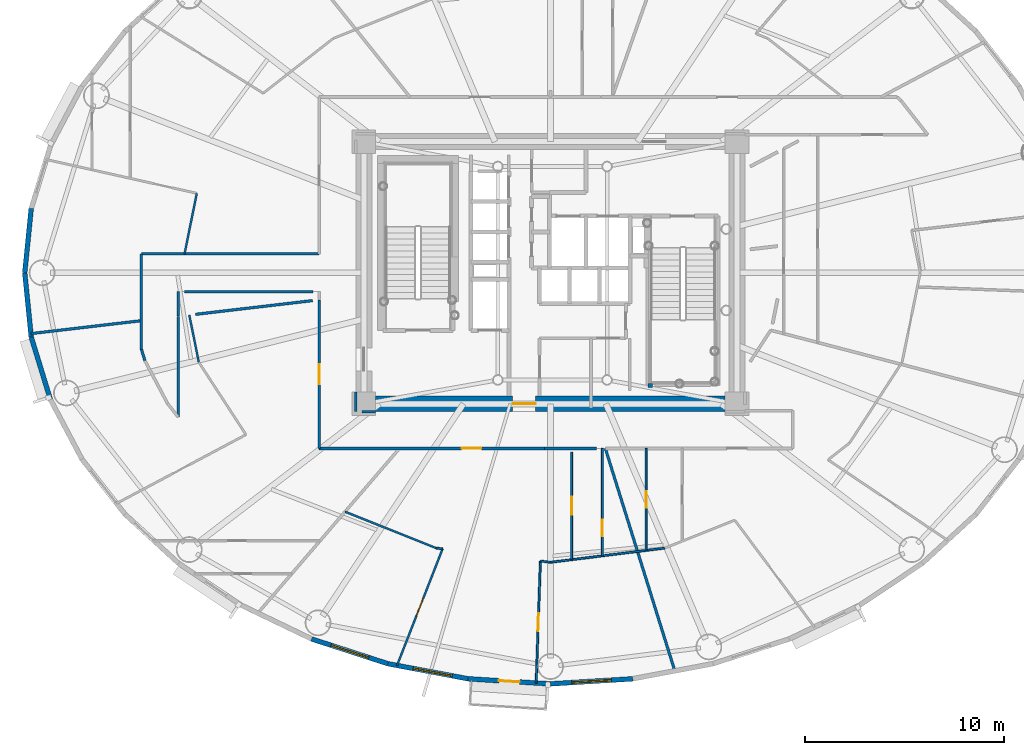
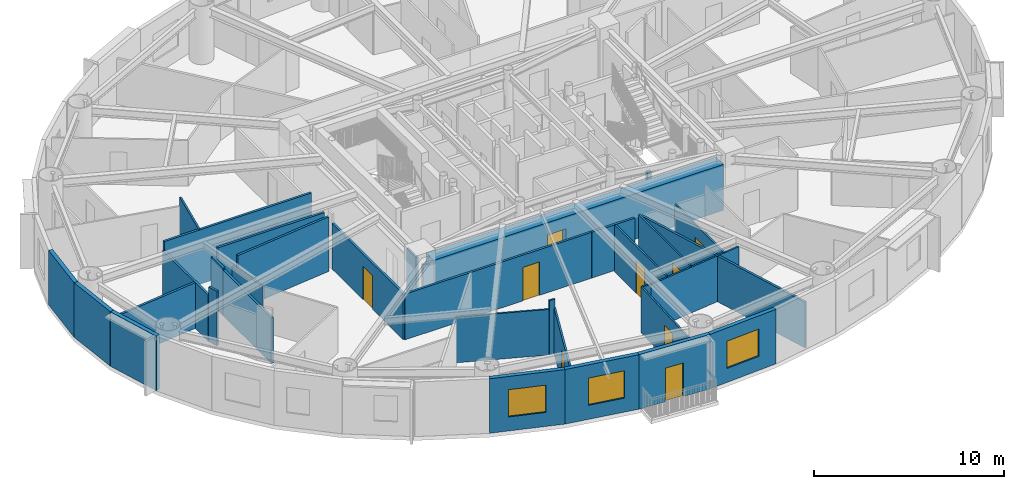
# One storey, part 6 of 18: 34 walls, 9 doors, 3 windows, 12 openings.
"""IFC4 building model written with IfcOpenShell, lengths in metres."""

from ifc_helpers import new_model, si_unit, direction, frame, frame_2d, origin, origin_2d, place, context, subcontext, project, spatial, rectangle, extrude, source, transform, mapped, material, layer, layer_set, type_object, element, fill, save


model = new_model("IFC4")

# Units and contexts
model_context = context("Model", 3, precision=1e-05, world=origin(), true_north=direction((0.0, 1.0)))
body_context = subcontext(model_context, "Body", "Model", "MODEL_VIEW")
ifc_project = project(units=[si_unit("LENGTHUNIT", "METRE"), si_unit("AREAUNIT", "SQUARE_METRE"), si_unit("VOLUMEUNIT", "CUBIC_METRE"), si_unit("PLANEANGLEUNIT", "RADIAN"), si_unit("MASSUNIT", "GRAM", prefix="KILO")], contexts=[model_context])

# Site, building, storey
site_placement = place(None, origin())
site = spatial("IfcSite", under=ifc_project, at=site_placement, CompositionType="ELEMENT")
building_placement = place(site_placement, origin())
building = spatial("IfcBuilding", under=site, at=building_placement, Name="Linh Dai School and Residence Tower", CompositionType="ELEMENT")
storey_placement = place(building_placement, frame((0.0, 0.0, 178.64990234375)))
storey = spatial("IfcBuildingStorey", under=building, at=storey_placement, Name="L43", CompositionType="ELEMENT", Elevation=178.64990234375)

# Walls
ifc_material_1 = material(Name="Precast Concrete B45 (C35/45)", Category="concrete")
ifc_layer_1 = layer(ifc_material_1, 0.239990234375)
ifc_layer_set_1 = layer_set([ifc_layer_1], Name="Precast Concrete B45 (C35/45)")
wall_type_1 = type_object("IfcWallType", Name="EW-TC-240", PredefinedType="SOLIDWALL", material=ifc_layer_set_1)
for number, where, z_axis, x_axis, name in (
    (1, (9.52490234375, 27.0, 0.0), (0.0, 0.0, 1.0), (0.100061534614, 0.994981250723, 0.0), "L43 Terracotta Exterior Wall 20"),
    (2, (9.85009765625, 23.766357421875, 0.0), (0.0, 0.0, 1.0), (-0.100061534614, 0.994981250723, 0.0), "L43 Terracotta Exterior Wall 21"),
):
    element("IfcWall", number, at=place(storey_placement, frame(where, z_axis=z_axis, x_axis=x_axis)), inside=storey, type_object=wall_type_1, Name=name, PredefinedType="SOLIDWALL", context=body_context, shape_type="SweptSolid", body=[
        extrude(rectangle(XDim=3.25, YDim=0.239990234375, at=frame_2d((1.625, 0.0))), origin(), (0.0, 0.0, 1.0), 3.5),
    ])
wall_1_placement = place(storey_placement, frame((10.8173828125, 20.611083984375, 0.0), z_axis=(0.0, 0.0, 1.0), x_axis=(-0.293097995113, 0.956082405058, 0.0)))
element("IfcWall", 3, at=wall_1_placement, inside=storey, type_object=wall_type_1, Name="L43 Terracotta Exterior Wall 22", PredefinedType="SOLIDWALL", context=body_context, shape_type="SweptSolid", body=[
    extrude(rectangle(XDim=3.30029296875, YDim=0.239990234375, at=frame_2d((1.650146484375, 0.0))), origin(), (0.0, 0.0, 1.0), 3.5),
])

# Wall, opening, window
wall_2_placement = place(storey_placement, frame((27.81103515625, 7.310546875, 0.0), z_axis=(0.0, 0.0, 1.0), x_axis=(-0.951209870236, 0.30854462038, 0.0)))
wall_2 = element("IfcWall", 4, at=wall_2_placement, inside=storey, type_object=wall_type_1, Name="L43 Terracotta Exterior Wall 28", PredefinedType="SOLIDWALL", context=body_context, shape_type="SweptSolid", body=[
    extrude(rectangle(XDim=4.037841796875, YDim=0.239990234375, at=frame_2d((2.01904296875, 0.0))), origin(), (0.0, 0.0, 1.0), 3.5),
])
opening_1_placement = place(wall_2_placement, frame((1.018798828125, 0.0, 0.89990234375)))
opening_1 = element("IfcOpeningElement", 5, at=opening_1_placement, cuts=wall_2, Name="Opening W1", PredefinedType="OPENING", context=body_context, shape_type="SweptSolid", body=[
    extrude(rectangle(XDim=2.0, YDim=1.75, at=origin_2d()), frame((1.0, 0.1298828125, 0.875), z_axis=(0.0, -1.0, 0.0), x_axis=(1.0, 0.0, 0.0)), (0.0, 0.0, 1.0), 0.260009765625),
])
ifc_material_2 = material(Name="Double Low-E Insulated Glazing", Category="glass")
window_type = type_object("IfcWindowType", Name="WN-RES-2000x1750", PartitioningType="DOUBLE_PANEL_VERTICAL", PredefinedType="WINDOW", material=ifc_material_2)
shared_shape_1 = source(origin(), body_context, "Body", "SweptSolid", [
    extrude(rectangle(XDim=2.0, YDim=1.75, at=origin_2d()), frame((1.0, 0.030029296875, 0.875), z_axis=(0.0, -1.0, 0.0), x_axis=(1.0, 0.0, 0.0)), (0.0, 0.0, 1.0), 0.06005859375),
])
window_1_placement = place(opening_1_placement, origin())
window_1 = element("IfcWindow", 6, at=window_1_placement, inside=storey, type_object=window_type, Name="L43 Exterior Window 28.1", OverallHeight=1.75, OverallWidth=2.0, PartitioningType="DOUBLE_PANEL_VERTICAL", PredefinedType="WINDOW", context=body_context, shape_type="MappedRepresentation", body=[
    mapped(shared_shape_1, transform((0.0, 0.0, 0.0), x_axis=(1.0, 0.0, 0.0), y_axis=(0.0, 1.0, 0.0), z_axis=(0.0, 0.0, 1.0), scale=1.0)),
])
fill(opening_1, window_1)

wall_3_placement = place(storey_placement, frame((31.854248046875, 6.550537109375, 0.0), z_axis=(0.0, 0.0, 1.0), x_axis=(-0.982788108205, 0.184736391573, 0.0)))
wall_3 = element("IfcWall", 7, at=wall_3_placement, inside=storey, type_object=wall_type_1, Name="L43 Terracotta Exterior Wall 29", PredefinedType="SOLIDWALL", context=body_context, shape_type="SweptSolid", body=[
    extrude(rectangle(XDim=4.114013671875, YDim=0.239990234375, at=frame_2d((2.05712890625, 0.0))), origin(), (0.0, 0.0, 1.0), 3.5),
])
opening_2_placement = place(wall_3_placement, frame((0.814208984375, 0.0, 0.89990234375)))
opening_2 = element("IfcOpeningElement", 8, at=opening_2_placement, cuts=wall_3, Name="Opening W1", PredefinedType="OPENING", context=body_context, shape_type="SweptSolid", body=[
    extrude(rectangle(XDim=2.0, YDim=1.75, at=origin_2d()), frame((1.0, 0.1298828125, 0.875), z_axis=(0.0, -1.0, 0.0), x_axis=(1.0, 0.0, 0.0)), (0.0, 0.0, 1.0), 0.260009765625),
])
window_2_placement = place(opening_2_placement, origin())
window_2 = element("IfcWindow", 9, at=window_2_placement, inside=storey, type_object=window_type, Name="L43 Exterior Window 29.1", OverallHeight=1.75, OverallWidth=2.0, PartitioningType="DOUBLE_PANEL_VERTICAL", PredefinedType="WINDOW", context=body_context, shape_type="MappedRepresentation", body=[
    mapped(shared_shape_1, transform((0.0, 0.0, 0.0), x_axis=(1.0, 0.0, 0.0), y_axis=(0.0, 1.0, 0.0), z_axis=(0.0, 0.0, 1.0), scale=1.0)),
])
fill(opening_2, window_2)

# Wall, opening, door
wall_4_placement = place(storey_placement, frame((36.0, 6.294921875, 0.0), z_axis=(0.0, 0.0, 1.0), x_axis=(-0.998104600619, 0.061540281305, 0.0)))
wall_4 = element("IfcWall", 10, at=wall_4_placement, inside=storey, type_object=wall_type_1, Name="L43 Terracotta Exterior Wall 30", PredefinedType="SOLIDWALL", context=body_context, shape_type="SweptSolid", body=[
    extrude(rectangle(XDim=4.153564453125, YDim=0.239990234375, at=frame_2d((2.07666015625, 0.0))), origin(), (0.0, 0.0, 1.0), 3.5),
])
opening_3_placement = place(wall_4_placement, frame((1.5517578125, 0.0, 0.0)))
opening_3 = element("IfcOpeningElement", 11, at=opening_3_placement, cuts=wall_4, Name="Opening BD1", PredefinedType="OPENING", context=body_context, shape_type="SweptSolid", body=[
    extrude(rectangle(XDim=1.050048828125, YDim=2.14990234375, at=origin_2d()), frame((0.52490234375, 0.1298828125, 1.074951171875), z_axis=(0.0, -1.0, 0.0), x_axis=(1.0, 0.0, 0.0)), (0.0, 0.0, 1.0), 0.260009765625),
])
ifc_material_3 = material(Name="Double-Glazed Balcony Door", Category="glass")
door_type_1 = type_object("IfcDoorType", Name="DR-BALC-1050x2150", OperationType="NOTDEFINED", PredefinedType="DOOR", material=ifc_material_3)
shared_shape_2 = source(origin(), body_context, "Body", "SweptSolid", [
    extrude(rectangle(XDim=1.050048828125, YDim=2.14990234375, at=origin_2d()), frame((0.52490234375, 0.02490234375, 1.074951171875), z_axis=(0.0, -1.0, 0.0), x_axis=(1.0, 0.0, 0.0)), (0.0, 0.0, 1.0), 0.050048828125),
])
door_1_placement = place(opening_3_placement, origin())
door_1 = element("IfcDoor", 12, at=door_1_placement, inside=storey, type_object=door_type_1, Name="L43 Glazed Balcony Door 30", OperationType="SINGLE_SWING_RIGHT", OverallHeight=2.14990234375, OverallWidth=1.050048828125, PredefinedType="DOOR", context=body_context, shape_type="MappedRepresentation", body=[
    mapped(shared_shape_2, transform((0.0, 0.0, 0.0), x_axis=(1.0, 0.0, 0.0), y_axis=(0.0, 1.0, 0.0), z_axis=(0.0, 0.0, 1.0), scale=1.0)),
])
fill(opening_3, door_1)

# Wall, opening, window
wall_5_placement = place(storey_placement, frame((40.145751953125, 6.550537109375, 0.0), z_axis=(0.0, 0.0, 1.0), x_axis=(-0.998104600619, -0.061540281305, 0.0)))
wall_5 = element("IfcWall", 13, at=wall_5_placement, inside=storey, type_object=wall_type_1, Name="L43 Terracotta Exterior Wall 31", PredefinedType="SOLIDWALL", context=body_context, shape_type="SweptSolid", body=[
    extrude(rectangle(XDim=4.153564453125, YDim=0.239990234375, at=frame_2d((2.07666015625, 0.0))), origin(), (0.0, 0.0, 1.0), 3.5),
])
opening_4_placement = place(wall_5_placement, frame((1.076904296875, 0.0, 0.89990234375)))
opening_4 = element("IfcOpeningElement", 14, at=opening_4_placement, cuts=wall_5, Name="Opening W1", PredefinedType="OPENING", context=body_context, shape_type="SweptSolid", body=[
    extrude(rectangle(XDim=2.0, YDim=1.75, at=origin_2d()), frame((1.0, 0.1298828125, 0.875), z_axis=(0.0, -1.0, 0.0), x_axis=(1.0, 0.0, 0.0)), (0.0, 0.0, 1.0), 0.260009765625),
])
window_3_placement = place(opening_4_placement, origin())
window_3 = element("IfcWindow", 15, at=window_3_placement, inside=storey, type_object=window_type, Name="L43 Exterior Window 31.1", OverallHeight=1.75, OverallWidth=2.0, PartitioningType="DOUBLE_PANEL_VERTICAL", PredefinedType="WINDOW", context=body_context, shape_type="MappedRepresentation", body=[
    mapped(shared_shape_1, transform((0.0, 0.0, 0.0), x_axis=(1.0, 0.0, 0.0), y_axis=(0.0, 1.0, 0.0), z_axis=(0.0, 0.0, 1.0), scale=1.0)),
])
fill(opening_4, window_3)

# Walls
ifc_material_4 = material(Name="Autoclaved Aerated Concrete Blockwork", Category="masonry")
ifc_layer_2 = layer(ifc_material_4, 0.135009765625)
ifc_layer_set_2 = layer_set([ifc_layer_2], Name="Autoclaved Aerated Concrete Blockwork")
wall_type_2 = type_object("IfcWallType", Name="IW-CORR-135-EI90", PredefinedType="PARTITIONING", material=ifc_layer_set_2)
wall_6_placement = place(storey_placement, frame((9.828369140625, 23.932861328125, 0.0), z_axis=(0.0, 0.0, 1.0), x_axis=(0.993205157511, 0.116376608877, 0.0)))
element("IfcWall", 16, at=wall_6_placement, inside=storey, type_object=wall_type_2, Name="L43 Interior Partition Wall 001", PredefinedType="PARTITIONING", context=body_context, shape_type="SweptSolid", body=[
    extrude(rectangle(XDim=5.609619140625, YDim=0.135009765625, at=frame_2d((2.8046875, 0.0))), origin(), (0.0, 0.0, 1.0), 2.93505859375),
])
wall_7_placement = place(storey_placement, frame((15.39990234375, 23.14599609375, 0.0), z_axis=(0.0, 0.0, 1.0), x_axis=(0.0, 1.0, 0.0)))
element("IfcWall", 17, at=wall_7_placement, inside=storey, type_object=wall_type_2, Name="L43 Interior Partition Wall 007", PredefinedType="PARTITIONING", context=body_context, shape_type="SweptSolid", body=[
    extrude(rectangle(XDim=4.803955078125, YDim=0.135009765625, at=frame_2d((2.40185546875, 0.0))), origin(), (0.0, 0.0, 1.0), 2.93505859375),
])
wall_8_placement = place(storey_placement, frame((15.39990234375, 23.14599609375, 0.0), z_axis=(0.0, 0.0, 1.0), x_axis=(0.293335154151, -0.956009669061, 0.0)))
element("IfcWall", 18, at=wall_8_placement, inside=storey, type_object=wall_type_2, Name="L43 Interior Partition Wall 008", PredefinedType="PARTITIONING", context=body_context, shape_type="SweptSolid", body=[
    extrude(rectangle(XDim=0.59423828125, YDim=0.135009765625, at=frame_2d((0.297119140625, 0.0))), origin(), (0.0, 0.0, 1.0), 3.5),
])
wall_9_placement = place(storey_placement, frame((15.39990234375, 27.949951171875, 0.0), z_axis=(0.0, 0.0, 1.0), x_axis=(1.0, 0.0, 0.0)))
element("IfcWall", 19, at=wall_9_placement, inside=storey, type_object=wall_type_2, Name="L43 Interior Partition Wall 009", PredefinedType="PARTITIONING", context=body_context, shape_type="SweptSolid", body=[
    extrude(rectangle(XDim=8.9501953125, YDim=0.135009765625, at=frame_2d((4.47509765625, 0.0))), origin(), (0.0, 0.0, 1.0), 3.5),
])
wall_10_placement = place(storey_placement, frame((17.25, 19.734375, 0.0), z_axis=(0.0, 0.0, 1.0), x_axis=(0.0, 1.0, 0.0)))
element("IfcWall", 20, at=wall_10_placement, inside=storey, type_object=wall_type_2, Name="L43 Interior Partition Wall 013", PredefinedType="PARTITIONING", context=body_context, shape_type="SweptSolid", body=[
    extrude(rectangle(XDim=5.068359375, YDim=0.135009765625, at=frame_2d((2.5341796875, 0.0))), origin(), (0.0, 0.0, 1.0), 2.93505859375),
])

# Wall, opening, door
wall_11_placement = place(storey_placement, frame((24.35009765625, 18.14990234375, 0.0), z_axis=(0.0, 0.0, 1.0), x_axis=(0.0, 1.0, 0.0)))
wall_11 = element("IfcWall", 21, at=wall_11_placement, inside=storey, type_object=wall_type_2, Name="L43 Interior Partition Wall 021", PredefinedType="PARTITIONING", context=body_context, shape_type="SweptSolid", body=[
    extrude(rectangle(XDim=7.48486328125, YDim=0.135009765625, at=frame_2d((3.742431640625, 0.0))), origin(), (0.0, 0.0, 1.0), 2.93505859375),
])
opening_5_placement = place(wall_11_placement, frame((3.2421875, 0.0, 0.0)))
opening_5 = element("IfcOpeningElement", 22, at=opening_5_placement, cuts=wall_11, Name="Opening D03", PredefinedType="OPENING", context=body_context, shape_type="SweptSolid", body=[
    extrude(rectangle(XDim=1.0, YDim=2.14990234375, at=origin_2d()), frame((0.5, 0.07763671875, 1.074951171875), z_axis=(0.0, -1.0, 0.0), x_axis=(1.0, 0.0, 0.0)), (0.0, 0.0, 1.0), 0.155029296875),
])
ifc_material_5 = material(Name="Fire-Rated Solid Timber Entrance Door", Category="wood")
door_type_2 = type_object("IfcDoorType", Name="DR-FLAT-1000x2150-FD60S", OperationType="NOTDEFINED", PredefinedType="DOOR", material=ifc_material_5)
shared_shape_3 = source(origin(), body_context, "Body", "SweptSolid", [
    extrude(rectangle(XDim=1.0, YDim=2.14990234375, at=origin_2d()), frame((0.5, 0.02490234375, 1.074951171875), z_axis=(0.0, -1.0, 0.0), x_axis=(1.0, 0.0, 0.0)), (0.0, 0.0, 1.0), 0.050048828125),
])
door_2_placement = place(opening_5_placement, origin())
door_2 = element("IfcDoor", 23, at=door_2_placement, inside=storey, type_object=door_type_2, Name="L43 U4304 Apartment Entrance Door", OperationType="SINGLE_SWING_RIGHT", OverallHeight=2.14990234375, OverallWidth=1.0, PredefinedType="DOOR", context=body_context, shape_type="MappedRepresentation", body=[
    mapped(shared_shape_3, transform((0.0, 0.0, 0.0), x_axis=(1.0, 0.0, 0.0), y_axis=(0.0, 1.0, 0.0), z_axis=(0.0, 0.0, 1.0), scale=1.0)),
])
fill(opening_5, door_2)

wall_12_placement = place(storey_placement, frame((24.35009765625, 18.14990234375, 0.0), z_axis=(0.0, 0.0, 1.0), x_axis=(1.0, 0.0, 0.0)))
wall_12 = element("IfcWall", 24, at=wall_12_placement, inside=storey, type_object=wall_type_2, Name="L43 Interior Partition Wall 022", PredefinedType="PARTITIONING", context=body_context, shape_type="SweptSolid", body=[
    extrude(rectangle(XDim=11.3408203125, YDim=0.135009765625, at=frame_2d((5.67041015625, 0.0))), origin(), (0.0, 0.0, 1.0), 2.93505859375),
])
opening_6_placement = place(wall_12_placement, frame((7.17138671875, 0.0, 0.0)))
opening_6 = element("IfcOpeningElement", 25, at=opening_6_placement, cuts=wall_12, Name="Opening D03", PredefinedType="OPENING", context=body_context, shape_type="SweptSolid", body=[
    extrude(rectangle(XDim=1.0, YDim=2.14990234375, at=origin_2d()), frame((0.5, 0.07763671875, 1.074951171875), z_axis=(0.0, -1.0, 0.0), x_axis=(1.0, 0.0, 0.0)), (0.0, 0.0, 1.0), 0.155029296875),
])
door_3_placement = place(opening_6_placement, origin())
door_3 = element("IfcDoor", 26, at=door_3_placement, inside=storey, type_object=door_type_2, Name="L43 U4305 Apartment Entrance Door", OperationType="SINGLE_SWING_RIGHT", OverallHeight=2.14990234375, OverallWidth=1.0, PredefinedType="DOOR", context=body_context, shape_type="MappedRepresentation", body=[
    mapped(shared_shape_3, transform((0.0, 0.0, 0.0), x_axis=(1.0, 0.0, 0.0), y_axis=(0.0, 1.0, 0.0), z_axis=(0.0, 0.0, 1.0), scale=1.0)),
])
fill(opening_6, door_3)

# Walls
wall_13_placement = place(storey_placement, frame((38.763671875, 18.14990234375, 0.0), z_axis=(0.0, 0.0, 1.0), x_axis=(0.298084348379, -0.954539533624, 0.0)))
element("IfcWall", 27, at=wall_13_placement, inside=storey, type_object=wall_type_2, Name="L43 Interior Partition Wall 067", PredefinedType="PARTITIONING", context=body_context, shape_type="SweptSolid", body=[
    extrude(rectangle(XDim=11.739990234375, YDim=0.135009765625, at=frame_2d((5.8701171875, 0.0))), origin(), (0.0, 0.0, 1.0), 2.93505859375),
])
wall_14_placement = place(storey_placement, frame((17.25, 26.050048828125, 0.0), z_axis=(0.0, 0.0, 1.0), x_axis=(0.0, -1.0, 0.0)))
element("IfcWall", 28, at=wall_14_placement, inside=storey, type_object=wall_type_2, Name="L43 Interior Partition Wall 107", PredefinedType="PARTITIONING", context=body_context, shape_type="SweptSolid", body=[
    extrude(rectangle(XDim=1.237548828125, YDim=0.135009765625, at=frame_2d((0.61865234375, 0.0))), origin(), (0.0, 0.0, 1.0), 3.03515625),
])
wall_15_placement = place(storey_placement, frame((26.199951171875, 20.989990234375, 0.0), z_axis=(0.0, 0.0, 1.0), x_axis=(0.0, -1.0, 0.0)))
element("IfcWall", 29, at=wall_15_placement, inside=storey, type_object=wall_type_2, Name="L43 Interior Partition Wall 113", PredefinedType="PARTITIONING", context=body_context, shape_type="SweptSolid", body=[
    extrude(rectangle(XDim=0.989990234375, YDim=0.135009765625, at=frame_2d((0.4951171875, 0.0))), origin(), (0.0, 0.0, 1.0), 3.5),
])
wall_16_placement = place(storey_placement, frame((26.507568359375, 20.0, 0.0), z_axis=(0.0, 0.0, 1.0), x_axis=(1.0, 0.0, 0.0)))
element("IfcWall", 30, at=wall_16_placement, inside=storey, type_object=wall_type_2, Name="L43 Interior Partition Wall 114", PredefinedType="PARTITIONING", context=body_context, shape_type="SweptSolid", body=[
    extrude(rectangle(XDim=0.682373046875, YDim=0.135009765625, at=frame_2d((0.34130859375, 0.0))), origin(), (0.0, 0.0, 1.0), 2.93505859375),
])
wall_17_placement = place(storey_placement, frame((38.305908203125, 18.14990234375, 0.0), z_axis=(0.0, 0.0, 1.0), x_axis=(-1.0, 0.0, 0.0)))
element("IfcWall", 31, at=wall_17_placement, inside=storey, type_object=wall_type_2, Name="L43 Interior Partition Wall 116", PredefinedType="PARTITIONING", context=body_context, shape_type="SweptSolid", body=[
    extrude(rectangle(XDim=2.60498046875, YDim=0.135009765625, at=frame_2d((1.302490234375, 0.0))), origin(), (0.0, 0.0, 1.0), 2.93505859375),
])
wall_18_placement = place(storey_placement, frame((24.04248046875, 26.050048828125, 0.0), z_axis=(0.0, 0.0, 1.0), x_axis=(-1.0, 0.0, 0.0)))
element("IfcWall", 32, at=wall_18_placement, inside=storey, type_object=wall_type_2, Name="L43 Interior Partition Wall 118", PredefinedType="PARTITIONING", context=body_context, shape_type="SweptSolid", body=[
    extrude(rectangle(XDim=6.48486328125, YDim=0.135009765625, at=frame_2d((3.242431640625, 0.0))), origin(), (0.0, 0.0, 1.0), 3.5),
])
wall_19_placement = place(storey_placement, frame((18.1201171875, 24.904541015625, 0.0), z_axis=(0.0, 0.0, 1.0), x_axis=(0.993204061109, 0.116385965632, 0.0)))
element("IfcWall", 33, at=wall_19_placement, inside=storey, type_object=wall_type_2, Name="L43 Interior Partition Wall 120", PredefinedType="PARTITIONING", context=body_context, shape_type="SweptSolid", body=[
    extrude(rectangle(XDim=5.942626953125, YDim=0.135009765625, at=frame_2d((2.97119140625, 0.0))), origin(), (0.0, 0.0, 1.0), 3.5),
])
ifc_material_6 = material(Name="Concrete B45 (C35/45)", Category="concrete")
ifc_layer_3 = layer(ifc_material_6, 0.199951171875)
ifc_layer_set_3 = layer_set([ifc_layer_3], Name="Concrete B45 (C35/45)")
wall_type_3 = type_object("IfcWallType", Name="IW-SHAFT-200-EI120", PredefinedType="PARTITIONING", material=ifc_layer_set_3)
wall_20_placement = place(storey_placement, frame((40.89990234375, 21.330078125, 0.0), z_axis=(0.0, 0.0, 1.0), x_axis=(1.0, 0.0, 0.0)))
element("IfcWall", 34, at=wall_20_placement, inside=storey, type_object=wall_type_3, Name="L43 Interior Partition Wall 076", PredefinedType="PARTITIONING", context=body_context, shape_type="SweptSolid", body=[
    extrude(rectangle(XDim=0.25, YDim=0.199951171875, at=frame_2d((0.125, 0.0))), origin(), (0.0, 0.0, 1.0), 3.03515625),
])
ifc_material_7 = material(Name="Gypsum Plasterboard Acoustic Stud Partition", Category="masonry")
ifc_layer_4 = layer(ifc_material_7, 0.10009765625)
ifc_layer_set_4 = layer_set([ifc_layer_4], Name="Gypsum Plasterboard Acoustic Stud Partition")
wall_type_4 = type_object("IfcWallType", Name="IW-UNIT-100", PredefinedType="PARTITIONING", material=ifc_layer_set_4)
wall_21_placement = place(storey_placement, frame((17.572265625, 27.949951171875, 0.0), z_axis=(0.0, 0.0, 1.0), x_axis=(0.19818274337, 0.980165088253, 0.0)))
element("IfcWall", 35, at=wall_21_placement, inside=storey, type_object=wall_type_4, Name="L43 Interior Partition Wall 014", PredefinedType="PARTITIONING", context=body_context, shape_type="SweptSolid", body=[
    extrude(rectangle(XDim=3.11181640625, YDim=0.10009765625, at=frame_2d((1.555908203125, 0.0))), origin(), (0.0, 0.0, 1.0), 3.5),
])
wall_22_placement = place(storey_placement, frame((17.81103515625, 24.868408203125, 0.0), z_axis=(0.0, 0.0, 1.0), x_axis=(0.198247700743, -0.980151952072, 0.0)))
element("IfcWall", 36, at=wall_22_placement, inside=storey, type_object=wall_type_4, Name="L43 Interior Partition Wall 015", PredefinedType="PARTITIONING", context=body_context, shape_type="SweptSolid", body=[
    extrude(rectangle(XDim=2.42236328125, YDim=0.10009765625, at=frame_2d((1.211181640625, 0.0))), origin(), (0.0, 0.0, 1.0), 2.93505859375),
])
wall_23_placement = place(storey_placement, frame((25.654052734375, 14.96484375, 0.0), z_axis=(0.0, 0.0, 1.0), x_axis=(0.928793067963, -0.370598754589, 0.0)))
element("IfcWall", 37, at=wall_23_placement, inside=storey, type_object=wall_type_4, Name="L43 Interior Partition Wall 026", PredefinedType="PARTITIONING", context=body_context, shape_type="SweptSolid", body=[
    extrude(rectangle(XDim=4.944091796875, YDim=0.10009765625, at=frame_2d((2.47216796875, 0.0))), origin(), (0.0, 0.0, 1.0), 2.93505859375),
])

# Wall, opening, door
wall_24_placement = place(storey_placement, frame((28.27099609375, 7.218994140625, 0.0), z_axis=(0.0, 0.0, 1.0), x_axis=(0.363936593544, 0.931423725207, 0.0)))
wall_24 = element("IfcWall", 38, at=wall_24_placement, inside=storey, type_object=wall_type_4, Name="L43 Interior Partition Wall 028", PredefinedType="PARTITIONING", context=body_context, shape_type="SweptSolid", body=[
    extrude(rectangle(XDim=6.306396484375, YDim=0.10009765625, at=frame_2d((3.1533203125, 0.0))), origin(), (0.0, 0.0, 1.0), 2.93505859375),
])
opening_7_placement = place(wall_24_placement, frame((2.703125, 0.0, 0.0)))
opening_7 = element("IfcOpeningElement", 39, at=opening_7_placement, cuts=wall_24, Name="Opening D05", PredefinedType="OPENING", context=body_context, shape_type="SweptSolid", body=[
    extrude(rectangle(XDim=0.89990234375, YDim=2.10009765625, at=origin_2d()), frame((0.449951171875, 0.06005859375, 1.050048828125), z_axis=(0.0, -1.0, 0.0), x_axis=(1.0, 0.0, 0.0)), (0.0, 0.0, 1.0), 0.1201171875),
])
ifc_material_8 = material(Name="Engineered Timber Internal Door", Category="wood")
door_type_3 = type_object("IfcDoorType", Name="DR-INT-900x2100", OperationType="NOTDEFINED", PredefinedType="DOOR", material=ifc_material_8)
shared_shape_4 = source(origin(), body_context, "Body", "SweptSolid", [
    extrude(rectangle(XDim=0.89990234375, YDim=2.10009765625, at=origin_2d()), frame((0.449951171875, 0.02490234375, 1.050048828125), z_axis=(0.0, -1.0, 0.0), x_axis=(1.0, 0.0, 0.0)), (0.0, 0.0, 1.0), 0.050048828125),
])
door_4_placement = place(opening_7_placement, origin())
door_4 = element("IfcDoor", 40, at=door_4_placement, inside=storey, type_object=door_type_3, Name="L43 Apartment U4305 Principal Bedroom 1 Door", OperationType="SINGLE_SWING_LEFT", OverallHeight=2.10009765625, OverallWidth=0.89990234375, PredefinedType="DOOR", context=body_context, shape_type="MappedRepresentation", body=[
    mapped(shared_shape_4, transform((0.0, 0.0, 0.0), x_axis=(1.0, 0.0, 0.0), y_axis=(0.0, 1.0, 0.0), z_axis=(0.0, 0.0, 1.0), scale=1.0)),
])
fill(opening_7, door_4)

# Wall
wall_25_placement = place(storey_placement, frame((30.24609375, 13.132568359375, 0.0), z_axis=(0.0, 0.0, 1.0), x_axis=(0.992451589144, -0.122637038475, 0.0)))
element("IfcWall", 41, at=wall_25_placement, inside=storey, type_object=wall_type_4, Name="L43 Interior Partition Wall 030", PredefinedType="PARTITIONING", context=body_context, shape_type="SweptSolid", body=[
    extrude(rectangle(XDim=0.322509765625, YDim=0.10009765625, at=frame_2d((0.1611328125, 0.0))), origin(), (0.0, 0.0, 1.0), 3.5),
])

# Wall, opening, door
wall_26_placement = place(storey_placement, frame((35.2783203125, 6.33447265625, 0.0), z_axis=(0.0, 0.0, 1.0), x_axis=(0.034887406989, 0.999391249128, 0.0)))
wall_26 = element("IfcWall", 42, at=wall_26_placement, inside=storey, type_object=wall_type_4, Name="L43 Interior Partition Wall 046", PredefinedType="PARTITIONING", context=body_context, shape_type="SweptSolid", body=[
    extrude(rectangle(XDim=6.151123046875, YDim=0.10009765625, at=frame_2d((3.07568359375, 0.0))), origin(), (0.0, 0.0, 1.0), 2.93505859375),
])
opening_8_placement = place(wall_26_placement, frame((2.62548828125, 0.0, 0.0)))
opening_8 = element("IfcOpeningElement", 43, at=opening_8_placement, cuts=wall_26, Name="Opening D05", PredefinedType="OPENING", context=body_context, shape_type="SweptSolid", body=[
    extrude(rectangle(XDim=0.89990234375, YDim=2.10009765625, at=origin_2d()), frame((0.449951171875, 0.06005859375, 1.050048828125), z_axis=(0.0, -1.0, 0.0), x_axis=(1.0, 0.0, 0.0)), (0.0, 0.0, 1.0), 0.1201171875),
])
door_5_placement = place(opening_8_placement, origin())
door_5 = element("IfcDoor", 44, at=door_5_placement, inside=storey, type_object=door_type_3, Name="L43 Apartment U4305 Bedroom 2 Door", OperationType="SINGLE_SWING_RIGHT", OverallHeight=2.10009765625, OverallWidth=0.89990234375, PredefinedType="DOOR", context=body_context, shape_type="MappedRepresentation", body=[
    mapped(shared_shape_4, transform((0.0, 0.0, 0.0), x_axis=(1.0, 0.0, 0.0), y_axis=(0.0, 1.0, 0.0), z_axis=(0.0, 0.0, 1.0), scale=1.0)),
])
fill(opening_8, door_5)

# Walls
wall_27_placement = place(storey_placement, frame((35.492919921875, 12.48193359375, 0.0), z_axis=(0.0, 0.0, 1.0), x_axis=(0.992373140554, -0.123270231229, 0.0)))
element("IfcWall", 45, at=wall_27_placement, inside=storey, type_object=wall_type_4, Name="L43 Interior Partition Wall 051", PredefinedType="PARTITIONING", context=body_context, shape_type="SweptSolid", body=[
    extrude(rectangle(XDim=0.510986328125, YDim=0.10009765625, at=frame_2d((0.25537109375, 0.0))), origin(), (0.0, 0.0, 1.0), 2.93505859375),
])
wall_28_placement = place(storey_placement, frame((36.0, 12.4189453125, 0.0), z_axis=(0.0, 0.0, 1.0), x_axis=(0.992396615981, 0.123081097612, 0.0)))
element("IfcWall", 46, at=wall_28_placement, inside=storey, type_object=wall_type_4, Name="L43 Interior Partition Wall 055", PredefinedType="PARTITIONING", context=body_context, shape_type="SweptSolid", body=[
    extrude(rectangle(XDim=5.798095703125, YDim=0.10009765625, at=frame_2d((2.89892578125, 0.0))), origin(), (0.0, 0.0, 1.0), 2.93505859375),
])

# Wall, opening, door
wall_29_placement = place(storey_placement, frame((37.060546875, 12.550537109375, 0.0), z_axis=(0.0, 0.0, 1.0), x_axis=(0.0, 1.0, 0.0)))
wall_29 = element("IfcWall", 47, at=wall_29_placement, inside=storey, type_object=wall_type_4, Name="L43 Interior Partition Wall 059", PredefinedType="PARTITIONING", context=body_context, shape_type="SweptSolid", body=[
    extrude(rectangle(XDim=5.415771484375, YDim=0.10009765625, at=frame_2d((2.7080078125, 0.0))), origin(), (0.0, 0.0, 1.0), 3.03515625),
])
opening_9_placement = place(wall_29_placement, frame((2.2578125, 0.0, 0.0)))
opening_9 = element("IfcOpeningElement", 48, at=opening_9_placement, cuts=wall_29, Name="Opening D05", PredefinedType="OPENING", context=body_context, shape_type="SweptSolid", body=[
    extrude(rectangle(XDim=0.89990234375, YDim=2.10009765625, at=origin_2d()), frame((0.449951171875, 0.06005859375, 1.050048828125), z_axis=(0.0, -1.0, 0.0), x_axis=(1.0, 0.0, 0.0)), (0.0, 0.0, 1.0), 0.1201171875),
])
door_6_placement = place(opening_9_placement, origin())
door_6 = element("IfcDoor", 49, at=door_6_placement, inside=storey, type_object=door_type_3, Name="L43 Apartment U4305 Kitchen Door", OperationType="SINGLE_SWING_LEFT", OverallHeight=2.10009765625, OverallWidth=0.89990234375, PredefinedType="DOOR", context=body_context, shape_type="MappedRepresentation", body=[
    mapped(shared_shape_4, transform((0.0, 0.0, 0.0), x_axis=(1.0, 0.0, 0.0), y_axis=(0.0, 1.0, 0.0), z_axis=(0.0, 0.0, 1.0), scale=1.0)),
])
fill(opening_9, door_6)

wall_30_placement = place(storey_placement, frame((38.615966796875, 12.743408203125, 0.0), z_axis=(0.0, 0.0, 1.0), x_axis=(0.0, 1.0, 0.0)))
wall_30 = element("IfcWall", 50, at=wall_30_placement, inside=storey, type_object=wall_type_4, Name="L43 Interior Partition Wall 066", PredefinedType="PARTITIONING", context=body_context, shape_type="SweptSolid", body=[
    extrude(rectangle(XDim=5.406494140625, YDim=0.10009765625, at=frame_2d((2.703125, 0.0))), origin(), (0.0, 0.0, 1.0), 3.03515625),
])
opening_10_placement = place(wall_30_placement, frame((0.9892578125, 0.0, 0.0)))
opening_10 = element("IfcOpeningElement", 51, at=opening_10_placement, cuts=wall_30, Name="Opening D06", PredefinedType="OPENING", context=body_context, shape_type="SweptSolid", body=[
    extrude(rectangle(XDim=0.820068359375, YDim=2.10009765625, at=origin_2d()), frame((0.41015625, 0.06005859375, 1.050048828125), z_axis=(0.0, -1.0, 0.0), x_axis=(1.0, 0.0, 0.0)), (0.0, 0.0, 1.0), 0.1201171875),
])
ifc_material_9 = material(Name="Moisture-Resistant Timber Bathroom Door", Category="wood")
door_type_4 = type_object("IfcDoorType", Name="DR-WET-820x2100", OperationType="NOTDEFINED", PredefinedType="DOOR", material=ifc_material_9)
shared_shape_5 = source(origin(), body_context, "Body", "SweptSolid", [
    extrude(rectangle(XDim=0.820068359375, YDim=2.10009765625, at=origin_2d()), frame((0.41015625, 0.02490234375, 1.050048828125), z_axis=(0.0, -1.0, 0.0), x_axis=(1.0, 0.0, 0.0)), (0.0, 0.0, 1.0), 0.050048828125),
])
door_7_placement = place(opening_10_placement, origin())
door_7 = element("IfcDoor", 52, at=door_7_placement, inside=storey, type_object=door_type_4, Name="L43 Apartment U4305 Bathroom 1 Door", OperationType="SINGLE_SWING_RIGHT", OverallHeight=2.10009765625, OverallWidth=0.820068359375, PredefinedType="DOOR", context=body_context, shape_type="MappedRepresentation", body=[
    mapped(shared_shape_5, transform((0.0, 0.0, 0.0), x_axis=(1.0, 0.0, 0.0), y_axis=(0.0, 1.0, 0.0), z_axis=(0.0, 0.0, 1.0), scale=1.0)),
])
fill(opening_10, door_7)

wall_31_placement = place(storey_placement, frame((40.818603515625, 13.0166015625, 0.0), z_axis=(0.0, 0.0, 1.0), x_axis=(0.0, 1.0, 0.0)))
wall_31 = element("IfcWall", 53, at=wall_31_placement, inside=storey, type_object=wall_type_4, Name="L43 Interior Partition Wall 074", PredefinedType="PARTITIONING", context=body_context, shape_type="SweptSolid", body=[
    extrude(rectangle(XDim=5.13330078125, YDim=0.10009765625, at=frame_2d((2.566650390625, 0.0))), origin(), (0.0, 0.0, 1.0), 2.93505859375),
])
opening_11_placement = place(wall_31_placement, frame((2.15673828125, 0.0, 0.0)))
opening_11 = element("IfcOpeningElement", 54, at=opening_11_placement, cuts=wall_31, Name="Opening D06", PredefinedType="OPENING", context=body_context, shape_type="SweptSolid", body=[
    extrude(rectangle(XDim=0.820068359375, YDim=2.10009765625, at=origin_2d()), frame((0.41015625, 0.06005859375, 1.050048828125), z_axis=(0.0, -1.0, 0.0), x_axis=(1.0, 0.0, 0.0)), (0.0, 0.0, 1.0), 0.1201171875),
])
door_8_placement = place(opening_11_placement, origin())
door_8 = element("IfcDoor", 55, at=door_8_placement, inside=storey, type_object=door_type_4, Name="L43 Apartment U4306 Bathroom 1 Door", OperationType="SINGLE_SWING_LEFT", OverallHeight=2.10009765625, OverallWidth=0.820068359375, PredefinedType="DOOR", context=body_context, shape_type="MappedRepresentation", body=[
    mapped(shared_shape_5, transform((0.0, 0.0, 0.0), x_axis=(1.0, 0.0, 0.0), y_axis=(0.0, 1.0, 0.0), z_axis=(0.0, 0.0, 1.0), scale=1.0)),
])
fill(opening_11, door_8)

ifc_material_10 = material(Name="Concrete B60 (C50/60)", Category="concrete")
ifc_layer_5 = layer(ifc_material_10, 0.800048828125)
ifc_layer_set_5 = layer_set([ifc_layer_5], Name="Concrete B60 (C50/60)")
wall_type_5 = type_object("IfcWallType", Name="WL-CORE800", PredefinedType="SHEAR", material=ifc_layer_set_5)
wall_32_placement = place(storey_placement, frame((44.800048828125, 20.39990234375, 0.0), z_axis=(0.0, 0.0, 1.0), x_axis=(-1.0, 0.0, 0.0)))
wall_32 = element("IfcWall", 56, at=wall_32_placement, inside=storey, type_object=wall_type_5, Name="L43 Central Core Shear Wall S", PredefinedType="SHEAR", context=body_context, shape_type="SweptSolid", body=[
    extrude(rectangle(XDim=17.60009765625, YDim=0.800048828125, at=frame_2d((8.800048828125, 0.0))), origin(), (0.0, 0.0, 1.0), 2.9501953125),
])
opening_12_placement = place(wall_32_placement, frame((9.550048828125, 0.0, 0.0)))
opening_12 = element("IfcOpeningElement", 57, at=opening_12_placement, cuts=wall_32, Name="Opening D02", PredefinedType="OPENING", context=body_context, shape_type="SweptSolid", body=[
    extrude(rectangle(XDim=1.14990234375, YDim=2.14990234375, at=origin_2d()), frame((0.574951171875, 0.41015625, 1.074951171875), z_axis=(0.0, -1.0, 0.0), x_axis=(1.0, 0.0, 0.0)), (0.0, 0.0, 1.0), 0.820068359375),
])
ifc_material_11 = material(Name="Fire-Rated Glazed Steel Lobby Door", Category="steel")
door_type_5 = type_object("IfcDoorType", Name="DR-LOBBY-1150x2150-FD90S", OperationType="NOTDEFINED", PredefinedType="DOOR", material=ifc_material_11)
shared_shape_6 = source(origin(), body_context, "Body", "SweptSolid", [
    extrude(rectangle(XDim=1.14990234375, YDim=2.14990234375, at=origin_2d()), frame((0.574951171875, 0.02490234375, 1.074951171875), z_axis=(0.0, -1.0, 0.0), x_axis=(1.0, 0.0, 0.0)), (0.0, 0.0, 1.0), 0.050048828125),
])
door_9_placement = place(opening_12_placement, origin())
door_9 = element("IfcDoor", 58, at=door_9_placement, inside=storey, type_object=door_type_5, Name="L43 Passenger Foyer Access Door", OperationType="SINGLE_SWING_LEFT", OverallHeight=2.14990234375, OverallWidth=1.14990234375, PredefinedType="DOOR", context=body_context, shape_type="MappedRepresentation", body=[
    mapped(shared_shape_6, transform((0.0, 0.0, 0.0), x_axis=(1.0, 0.0, 0.0), y_axis=(0.0, 1.0, 0.0), z_axis=(0.0, 0.0, 1.0), scale=1.0)),
])
fill(opening_12, door_9)

save(model, "model.ifc")
